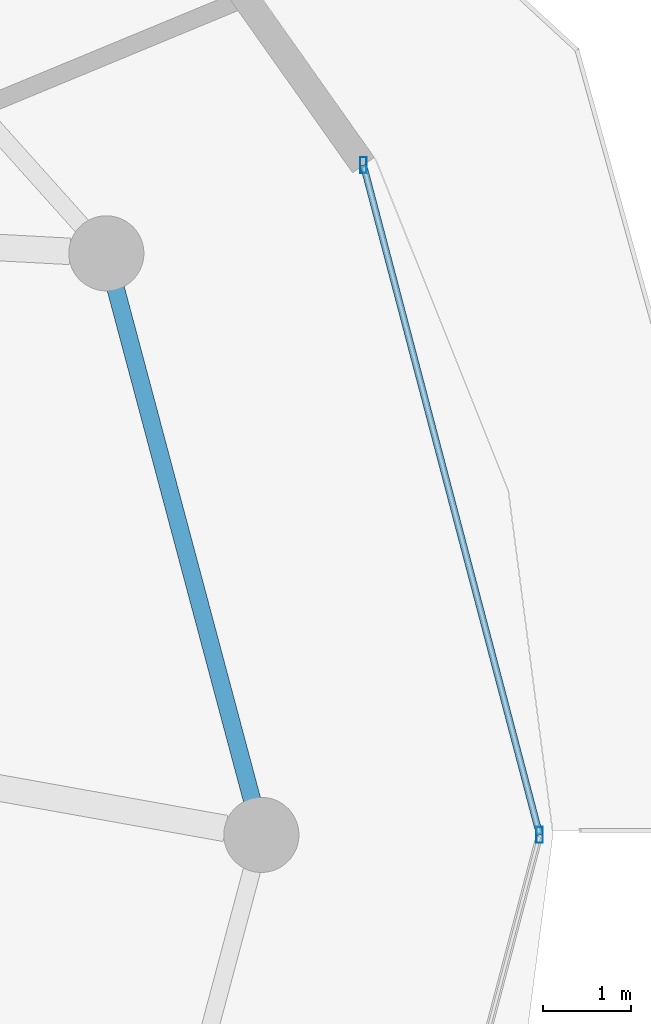
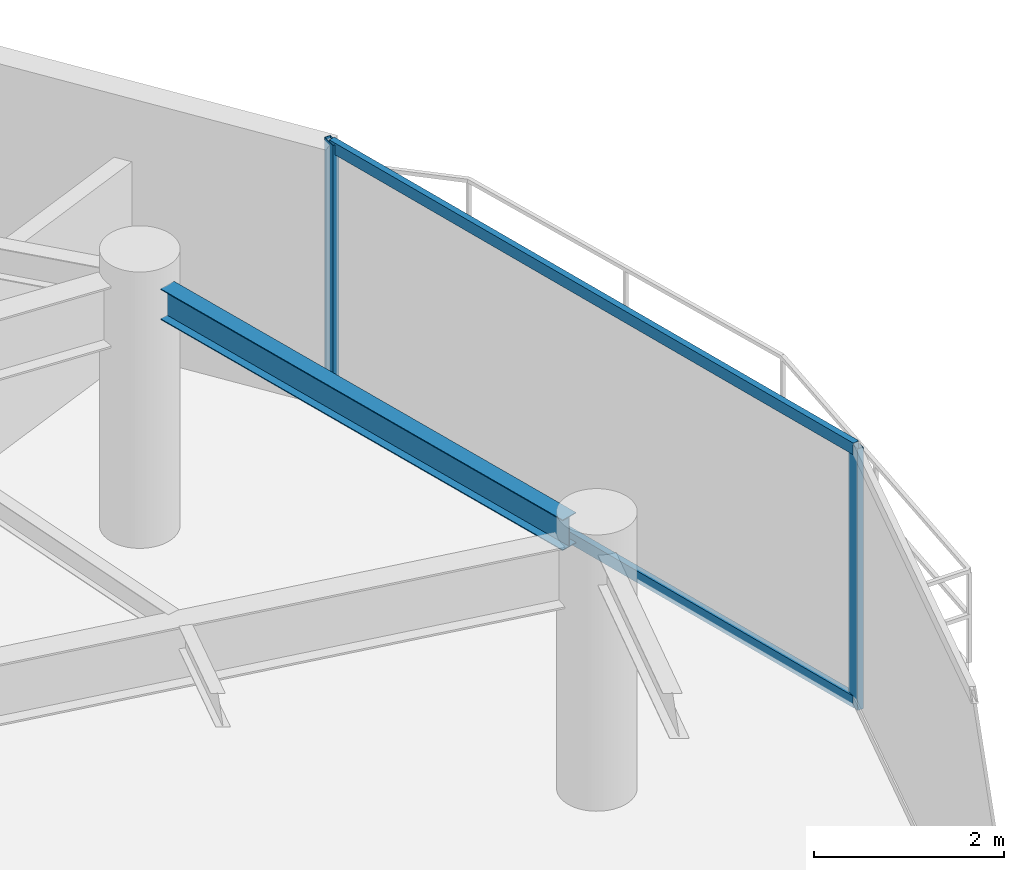
# One storey, part 15 of 30: 4 members, 1 beam, 1 element without a shape of its own.
"""IFC4 building model written with IfcOpenShell, lengths in metres."""

from ifc_helpers import new_model, si_unit, direction, frame, origin, origin_2d, place, context, subcontext, project, spatial, hollow_rectangle, i_section, extrude, material, material_profile, profile_set, type_object, element, aggregate, save


model = new_model("IFC4")

# Units and contexts
model_context = context("Model", 3, precision=1e-05, world=origin(), true_north=direction((0.0, 1.0)))
body_context = subcontext(model_context, "Body", "Model", "MODEL_VIEW")
ifc_project = project(units=[si_unit("LENGTHUNIT", "METRE"), si_unit("AREAUNIT", "SQUARE_METRE"), si_unit("VOLUMEUNIT", "CUBIC_METRE"), si_unit("PLANEANGLEUNIT", "RADIAN"), si_unit("MASSUNIT", "GRAM", prefix="KILO")], contexts=[model_context])

# Site, building, storey
site_placement = place(None, origin())
site = spatial("IfcSite", under=ifc_project, at=site_placement, CompositionType="ELEMENT")
building_placement = place(site_placement, origin())
building = spatial("IfcBuilding", under=site, at=building_placement, Name="Vorneva Point Tower", CompositionType="ELEMENT")
storey_placement = place(building_placement, frame((0.0, 0.0, 252.0)))
storey = spatial("IfcBuildingStorey", under=building, at=storey_placement, Name="L68", CompositionType="ELEMENT", Elevation=252.0)

# Beam
ifc_material_1 = material(Name="Steel S355", Category="steel")
ifc_material_profile_1 = material_profile(ifc_material_1, i_section(OverallWidth=0.198974609375, OverallDepth=0.39599609375, WebThickness=0.007080078125, FlangeThickness=0.010986328125, at=origin_2d()), Name="40B1")
ifc_profile_set_1 = profile_set([ifc_material_profile_1], Name="Steel S355")
beam_type = type_object("IfcBeamType", Name="BM-SPN-40B1", PredefinedType="SPANDREL", material=ifc_profile_set_1)
beam_placement = place(storey_placement, frame((60.9443359375, 26.396240234375, 3.092041015625), z_axis=(-0.257586570866, 0.966255224312, 0.0), x_axis=(-0.966255224312, -0.257586570866, 0.0)))
element("IfcBeam", 1, at=beam_placement, inside=storey, type_object=beam_type, Name="L68 Perimeter Spandrel Ring Beam 01", PredefinedType="SPANDREL", context=body_context, shape_type="SweptSolid", body=[
    extrude(i_section(OverallWidth=0.198974609375, OverallDepth=0.39599609375, WebThickness=0.007080078125, FlangeThickness=0.010986328125, at=origin_2d()), origin(), (0.0, 0.0, 1.0), 5.991943359375),
])

# Curtain wall, members
ifc_material_2 = material(Name="Pale anodised aluminium", Category="aluminium")
curtain_wall_type = type_object("IfcCurtainWallType", Name="CW-RES-SYS", PredefinedType="NOTDEFINED", material=ifc_material_2)
curtain_wall_placement = place(storey_placement, origin())
curtain_wall = element("IfcCurtainWall", 2, at=curtain_wall_placement, inside=storey, type_object=curtain_wall_type, Name="L68 Unitised Curtain Wall CW-L68-R01", PredefinedType="NOTDEFINED")
ifc_material_profile_2 = material_profile(ifc_material_2, hollow_rectangle(XDim=0.074951171875, YDim=0.179931640625, WallThickness=0.00390625, at=origin_2d()), Name="AL-MUL 180x75x4")
ifc_profile_set_2 = profile_set([ifc_material_profile_2], Name="Pale anodised aluminium")
member_type_1 = type_object("IfcMemberType", Name="CW-MUL-180", PredefinedType="MULLION", material=ifc_profile_set_2)
member_1_placement = place(storey_placement, frame((64.199951171875, 26.0, -0.0400390625), z_axis=(0.0, 0.0, 1.0), x_axis=(1.0, 0.0, 0.0)))
member_1 = element("IfcMember", 3, at=member_1_placement, type_object=member_type_1, Name="CW-L68-R01 Mullion 03", PredefinedType="MULLION", context=body_context, shape_type="SweptSolid", body=[
    extrude(hollow_rectangle(XDim=0.074951171875, YDim=0.179931640625, WallThickness=0.00390625, at=origin_2d()), origin(), (0.0, 0.0, 1.0), 3.360107421875),
])
member_2_placement = place(storey_placement, frame((62.20556640625, 33.5810546875, -0.0400390625), z_axis=(0.0, 0.0, 1.0), x_axis=(1.0, 0.0, 0.0)))
member_2 = element("IfcMember", 4, at=member_2_placement, type_object=member_type_1, Name="CW-L68-R01 Mullion 04", PredefinedType="MULLION", context=body_context, shape_type="SweptSolid", body=[
    extrude(hollow_rectangle(XDim=0.074951171875, YDim=0.179931640625, WallThickness=0.00390625, at=origin_2d()), origin(), (0.0, 0.0, 1.0), 3.360107421875),
])
ifc_material_profile_3 = material_profile(ifc_material_2, hollow_rectangle(XDim=0.074951171875, YDim=0.14990234375, WallThickness=0.00390625, at=origin_2d()), Name="AL-TRN 150x75x4")
ifc_profile_set_3 = profile_set([ifc_material_profile_3], Name="Pale anodised aluminium")
member_type_2 = type_object("IfcMemberType", Name="CW-TRN-150", PredefinedType="USERDEFINED", material=ifc_profile_set_3)
member_3_placement = place(storey_placement, frame((64.199951171875, 26.0, 0.02001953125), z_axis=(-0.254418180926, 0.967094302131, 0.0), x_axis=(-0.967094302131, -0.254418180926, 0.0)))
member_3 = element("IfcMember", 5, at=member_3_placement, type_object=member_type_2, Name="CW-L68-R01 Transom 03.1", ObjectType="TRANSOM", PredefinedType="USERDEFINED", context=body_context, shape_type="SweptSolid", body=[
    extrude(hollow_rectangle(XDim=0.074951171875, YDim=0.14990234375, WallThickness=0.00390625, at=origin_2d()), origin(), (0.0, 0.0, 1.0), 7.839111328125),
])
member_4_placement = place(storey_placement, frame((64.199951171875, 26.0, 3.27001953125), z_axis=(-0.254418180926, 0.967094302131, 0.0), x_axis=(-0.967094302131, -0.254418180926, 0.0)))
member_4 = element("IfcMember", 6, at=member_4_placement, type_object=member_type_2, Name="CW-L68-R01 Transom 03.2", ObjectType="TRANSOM", PredefinedType="USERDEFINED", context=body_context, shape_type="SweptSolid", body=[
    extrude(hollow_rectangle(XDim=0.074951171875, YDim=0.14990234375, WallThickness=0.00390625, at=origin_2d()), origin(), (0.0, 0.0, 1.0), 7.839111328125),
])
aggregate(curtain_wall, [member_1, member_2, member_3, member_4])

save(model, "model.ifc")
